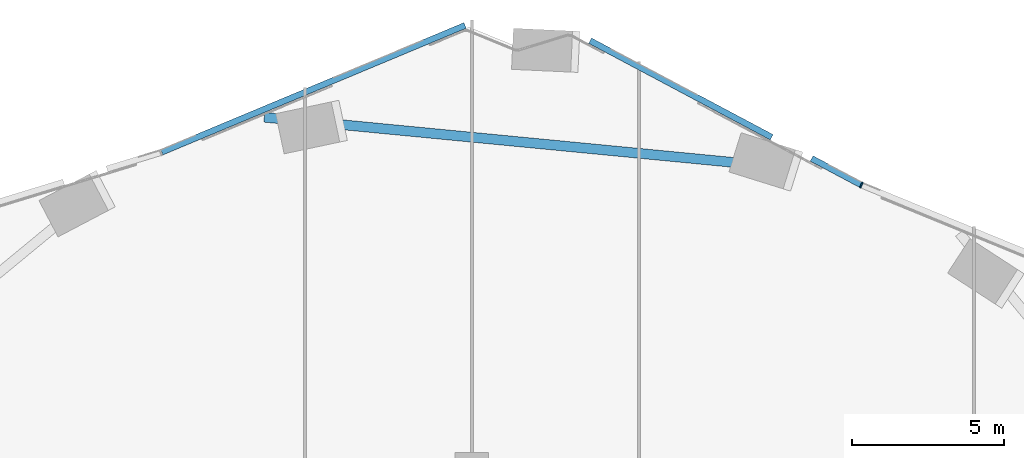
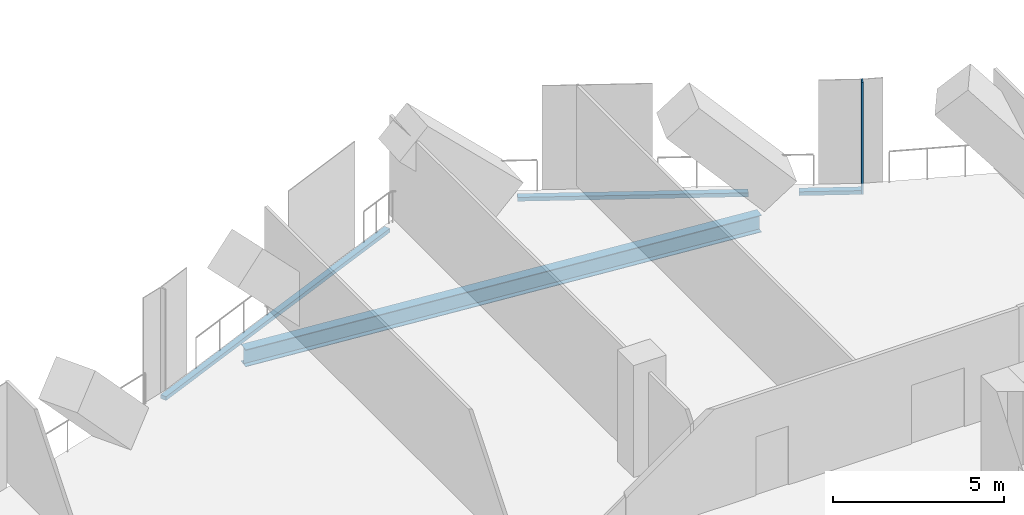
# One storey, part 13 of 34: 4 members, 1 beam, 3 elements without a shape of their own.
"""IFC4 building model written with IfcOpenShell, lengths in metres."""

from ifc_helpers import new_model, si_unit, direction, frame, origin, origin_2d, place, context, subcontext, project, spatial, rectangle, i_section, extrude, material, material_profile, profile_set, type_object, element, aggregate, save


model = new_model("IFC4")

# Units and contexts
model_context = context("Model", 3, precision=1e-05, world=origin(), true_north=direction((0.0, 1.0)))
body_context = subcontext(model_context, "Body", "Model", "MODEL_VIEW")
ifc_project = project(units=[si_unit("LENGTHUNIT", "METRE"), si_unit("AREAUNIT", "SQUARE_METRE"), si_unit("VOLUMEUNIT", "CUBIC_METRE"), si_unit("PLANEANGLEUNIT", "RADIAN"), si_unit("MASSUNIT", "GRAM", prefix="KILO")], contexts=[model_context])

# Site, building, storey
site_placement = place(None, origin())
site = spatial("IfcSite", under=ifc_project, at=site_placement, CompositionType="ELEMENT")
building_placement = place(site_placement, origin())
building = spatial("IfcBuilding", under=site, at=building_placement, Name="Orlundy Tower", CompositionType="ELEMENT")
storey_placement = place(building_placement, frame((0.0, 0.0, 98.199951171875)))
storey = spatial("IfcBuildingStorey", under=building, at=storey_placement, Name="L24", CompositionType="ELEMENT", Elevation=98.199951171875)

# Beam
ifc_material_1 = material(Name="Steel ASTM A992 Gr 50", Category="steel")
ifc_material_profile_1 = material_profile(ifc_material_1, i_section(OverallWidth=0.32373046875, OverallDepth=0.611083984375, WebThickness=0.0126953125, FlangeThickness=0.01904296875, at=origin_2d()), Name="W24X104")
ifc_profile_set_1 = profile_set([ifc_material_profile_1], Name="Steel ASTM A992 Gr 50")
beam_type = type_object("IfcBeamType", Name="CANTILEVER GIRDER beam W24X104", PredefinedType="BEAM", material=ifc_profile_set_1)
beam_placement = place(storey_placement, frame((-6.82958984375, 29.505615234375, -0.70556640625), z_axis=(0.995395416511, -0.095853872061, 0.0), x_axis=(0.095853872061, 0.995395416511, 0.0)))
element("IfcBeam", 1, at=beam_placement, inside=storey, type_object=beam_type, Name="Cantilever girder C-H21 L24", PredefinedType="BEAM", context=body_context, shape_type="SweptSolid", body=[
    extrude(i_section(OverallWidth=0.32373046875, OverallDepth=0.611083984375, WebThickness=0.0126953125, FlangeThickness=0.01904296875, at=origin_2d()), origin(), (0.0, 0.0, 1.0), 16.6064453125),
])

# Curtain wall, member
ifc_material_2 = material(Name="Aluminium bronze anodised", Category="aluminium")
curtain_wall_type = type_object("IfcCurtainWallType", Name="CW5 wall", PredefinedType="NOTDEFINED", material=ifc_material_2)
curtain_wall_1_placement = place(storey_placement, origin())
curtain_wall_1 = element("IfcCurtainWall", 2, at=curtain_wall_1_placement, inside=storey, type_object=curtain_wall_type, Name="CW5 run 025", PredefinedType="NOTDEFINED")
ifc_material_3 = material(Name="Aluminium bronze anodised", Category="aluminium")
ifc_material_profile_2 = material_profile(ifc_material_3, rectangle(XDim=0.199951171875, YDim=0.050048828125, at=origin_2d()), Name="CW5 mullion 50x200")
ifc_profile_set_2 = profile_set([ifc_material_profile_2], Name="Aluminium bronze anodised")
member_type_1 = type_object("IfcMemberType", Name="CW5 mullion 50x200", PredefinedType="MULLION", material=ifc_profile_set_2)
member_1_placement = place(storey_placement, frame((12.8125, 27.277587890625, -0.39990234375), z_axis=(0.0, 0.0, 1.0), x_axis=(0.425242266078, 0.905079562879, 0.0)))
member_1 = element("IfcMember", 3, at=member_1_placement, type_object=member_type_1, Name="CW5 mullion 44", PredefinedType="MULLION", context=body_context, shape_type="SweptSolid", body=[
    extrude(rectangle(XDim=0.199951171875, YDim=0.050048828125, at=origin_2d()), origin(), (0.0, 0.0, 1.0), 4.0),
])
aggregate(curtain_wall_1, [member_1])

curtain_wall_2_placement = place(storey_placement, origin())
curtain_wall_2 = element("IfcCurtainWall", 4, at=curtain_wall_2_placement, inside=storey, type_object=curtain_wall_type, Name="CW5 run 021", PredefinedType="NOTDEFINED")
ifc_material_4 = material(Name="Aluminium bronze anodised", Category="aluminium")
ifc_material_profile_3 = material_profile(ifc_material_4, rectangle(XDim=0.199951171875, YDim=0.139892578125, at=origin_2d()), Name="CW5 transom 200x140")
ifc_profile_set_3 = profile_set([ifc_material_profile_3], Name="Aluminium bronze anodised")
member_type_2 = type_object("IfcMemberType", Name="CW5 transom 200x140", PredefinedType="USERDEFINED", material=ifc_profile_set_3)
member_2_placement = place(storey_placement, frame((-10.202880859375, 28.35888671875, -0.329833984375), z_axis=(0.922773366042, 0.385343113243, 0.0), x_axis=(-0.385343113243, 0.922773366042, 0.0)))
member_2 = element("IfcMember", 5, at=member_2_placement, type_object=member_type_2, Name="CW5 transom", ObjectType="TRANSOM", PredefinedType="USERDEFINED", context=body_context, shape_type="SweptSolid", body=[
    extrude(rectangle(XDim=0.199951171875, YDim=0.139892578125, at=origin_2d()), origin(), (0.0, 0.0, 1.0), 10.81298828125),
])
aggregate(curtain_wall_2, [member_2])

# Curtain wall, members
curtain_wall_3_placement = place(storey_placement, origin())
curtain_wall_3 = element("IfcCurtainWall", 6, at=curtain_wall_3_placement, inside=storey, type_object=curtain_wall_type, Name="CW5 run 024", PredefinedType="NOTDEFINED")
member_3_placement = place(storey_placement, frame((3.88720703125, 32.023193359375, -0.329833984375), z_axis=(0.882952599035, -0.469462147417, 0.0), x_axis=(0.469462147417, 0.882952599035, 0.0)))
member_3 = element("IfcMember", 7, at=member_3_placement, type_object=member_type_2, Name="CW5 transom", ObjectType="TRANSOM", PredefinedType="USERDEFINED", context=body_context, shape_type="SweptSolid", body=[
    extrude(rectangle(XDim=0.199951171875, YDim=0.139892578125, at=origin_2d()), origin(), (0.0, 0.0, 1.0), 6.76513671875),
])
member_4_placement = place(storey_placement, frame((11.174560546875, 28.148681640625, -0.329833984375), z_axis=(0.882913570325, -0.469535544273, 0.0), x_axis=(0.469535544273, 0.882913570325, 0.0)))
member_4 = element("IfcMember", 8, at=member_4_placement, type_object=member_type_2, Name="CW5 transom", ObjectType="TRANSOM", PredefinedType="USERDEFINED", context=body_context, shape_type="SweptSolid", body=[
    extrude(rectangle(XDim=0.199951171875, YDim=0.139892578125, at=origin_2d()), origin(), (0.0, 0.0, 1.0), 1.830322265625),
])
aggregate(curtain_wall_3, [member_3, member_4])

save(model, "model.ifc")
